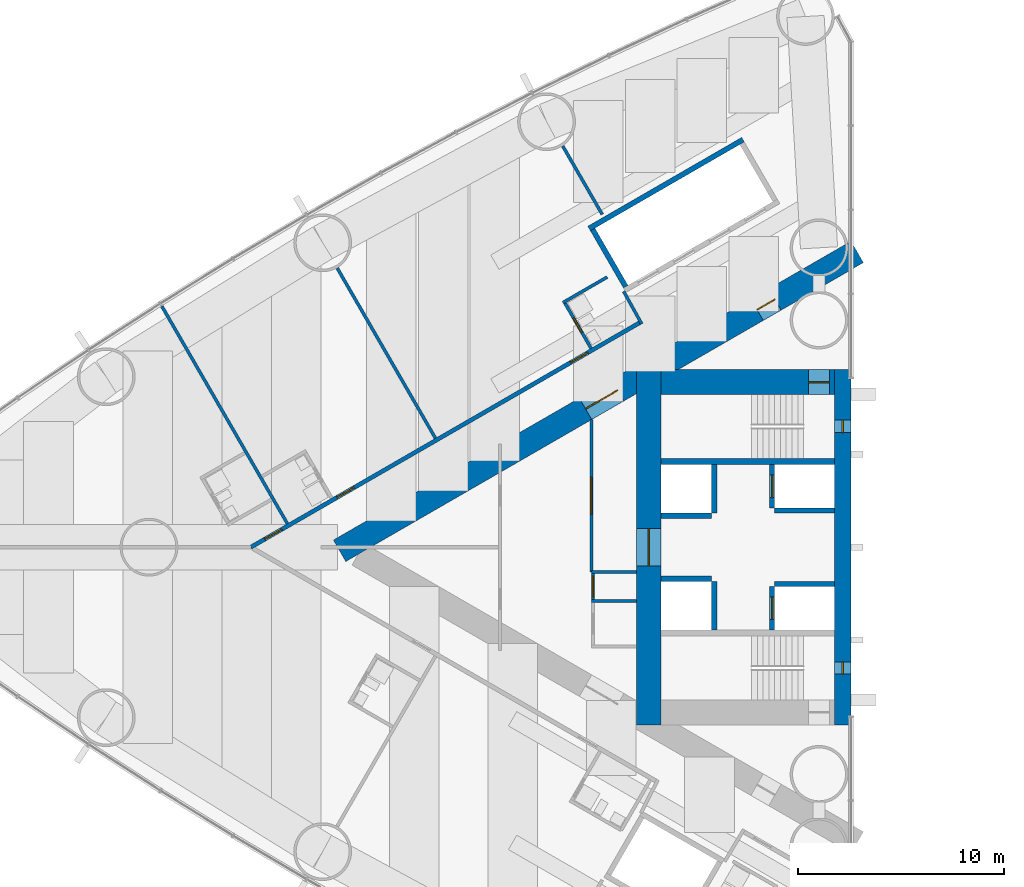
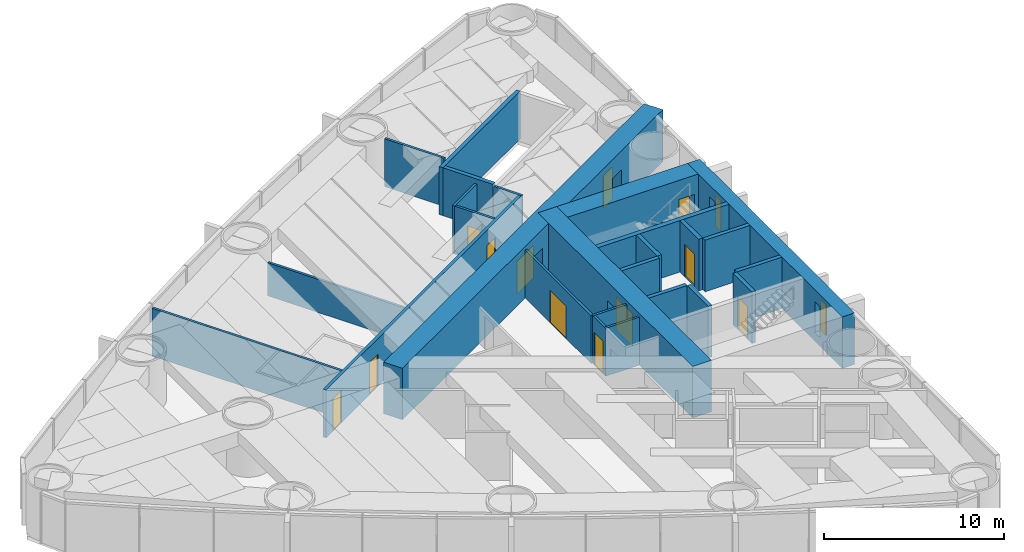
# One storey, part 12 of 19: 26 walls, 12 doors, 2 windows, 14 openings.
"""IFC4 building model written with IfcOpenShell, lengths in metres."""

from ifc_helpers import new_model, si_unit, direction, frame, frame_2d, origin, place, context, subcontext, project, spatial, rectangle, extrude, material, layer, layer_set, type_object, element, fill, save


model = new_model("IFC4")

# Units and contexts
model_context = context("Model", 3, precision=1e-05, world=origin(), true_north=direction((0.0, 1.0)))
body_context = subcontext(model_context, "Body", "Model", "MODEL_VIEW")
ifc_project = project(units=[si_unit("LENGTHUNIT", "METRE"), si_unit("AREAUNIT", "SQUARE_METRE"), si_unit("VOLUMEUNIT", "CUBIC_METRE"), si_unit("PLANEANGLEUNIT", "RADIAN"), si_unit("MASSUNIT", "GRAM", prefix="KILO")], contexts=[model_context])

# Site, building, storey
site_placement = place(None, origin())
site = spatial("IfcSite", under=ifc_project, at=site_placement, CompositionType="ELEMENT")
building_placement = place(site_placement, origin())
building = spatial("IfcBuilding", under=site, at=building_placement, Name="Lancet Gate Hotel", CompositionType="ELEMENT")
storey_placement = place(building_placement, frame((0.0, 0.0, 35.5)))
storey = spatial("IfcBuildingStorey", under=building, at=storey_placement, Name="L08", CompositionType="ELEMENT", Elevation=35.5)

# Wall
ifc_material_1 = material(Name="Moisture resistant board partition")
ifc_layer_1 = layer(ifc_material_1, 0.14990234375)
ifc_layer_set_1 = layer_set([ifc_layer_1], Name="Bathroom wall 150")
wall_type_1 = type_object("IfcWallType", Name="Bathroom wall 150", PredefinedType="PARTITIONING", material=ifc_layer_set_1)
wall_1_placement = place(storey_placement, frame((-39.309814453125, 13.081787109375, 0.0), z_axis=(0.0, 0.0, 1.0), x_axis=(-0.866031185235, -0.4999899861, 0.0)))
element("IfcWall", 1, at=wall_1_placement, inside=storey, type_object=wall_type_1, Name="T1 bathroom wall 150 L08", PredefinedType="PARTITIONING", context=body_context, shape_type="SweptSolid", body=[
    extrude(rectangle(XDim=2.47509765625, YDim=0.14990234375, at=frame_2d((1.237548828125, 0.0))), origin(), (0.0, 0.0, 1.0), 3.25),
])

# Wall, opening, door
wall_2_placement = place(storey_placement, frame((-40.08837890625, 9.630126953125, 0.0), z_axis=(0.0, 0.0, 1.0), x_axis=(-0.500006934395, 0.866021400173, 0.0)))
wall_2 = element("IfcWall", 2, at=wall_2_placement, inside=storey, type_object=wall_type_1, Name="T1 bathroom wall 150 L08", PredefinedType="PARTITIONING", context=body_context, shape_type="SweptSolid", body=[
    extrude(rectangle(XDim=2.60009765625, YDim=0.14990234375, at=frame_2d((1.300048828125, 0.0))), origin(), (0.0, 0.0, 1.0), 3.25),
])
opening_1_placement = place(wall_2_placement, frame((0.89990234375, 0.0, 0.0)))
opening_1 = element("IfcOpeningElement", 3, at=opening_1_placement, cuts=wall_2, Name="Opening 0802-B", PredefinedType="OPENING", context=body_context, shape_type="SweptSolid", body=[
    extrude(rectangle(XDim=0.800048828125, YDim=2.199951171875, at=frame_2d((0.39990234375, 1.10009765625))), frame((0.0, 0.0849609375, 0.0), z_axis=(0.0, -1.0, 0.0), x_axis=(1.0, 0.0, 0.0)), (0.0, 0.0, 1.0), 0.169921875),
])
ifc_material_2 = material(Name="Timber door set", Category="wood")
door_type_1 = type_object("IfcDoorType", Name="Bathroom door 800", OperationType="SINGLE_SWING_RIGHT", PredefinedType="DOOR", material=ifc_material_2)
door_1_placement = place(opening_1_placement, origin())
door_1 = element("IfcDoor", 4, at=door_1_placement, inside=storey, type_object=door_type_1, Name="0802-B", OperationType="SINGLE_SWING_RIGHT", OverallHeight=2.199951171875, OverallWidth=0.800048828125, PredefinedType="DOOR", context=body_context, shape_type="SweptSolid", body=[
    extrude(rectangle(XDim=0.800048828125, YDim=2.199951171875, at=frame_2d((0.39990234375, 1.10009765625))), frame((0.0, 0.02490234375, 0.0), z_axis=(0.0, -1.0, 0.0), x_axis=(1.0, 0.0, 0.0)), (0.0, 0.0, 1.0), 0.050048828125),
])
fill(opening_1, door_1)

# Wall, openings, doors
ifc_material_3 = material(Name="Concrete C70/85", Category="concrete")
ifc_layer_2 = layer(ifc_material_3, 1.199951171875)
ifc_layer_set_2 = layer_set([ifc_layer_2], Name="Buttress wall 1200")
wall_type_2 = type_object("IfcWallType", Name="Buttress wall 1200", PredefinedType="SHEAR", material=ifc_layer_set_2)
wall_3_placement = place(storey_placement, frame((-27.199951171875, 14.300048828125, 0.0), z_axis=(0.0, 0.0, 1.0), x_axis=(-0.866026593062, -0.499997940104, 0.0)))
wall_3 = element("IfcWall", 5, at=wall_3_placement, inside=storey, type_object=wall_type_2, Name="T1 buttress wall S L08", PredefinedType="SHEAR", context=body_context, shape_type="SweptSolid", body=[
    extrude(rectangle(XDim=28.9462890625, YDim=1.199951171875, at=frame_2d((14.47314453125, 0.0))), origin(), (0.0, 0.0, 1.0), 3.5),
])
opening_2_placement = place(wall_3_placement, frame((4.60009765625, 0.0, 0.0)))
opening_2 = element("IfcOpeningElement", 6, at=opening_2_placement, cuts=wall_3, Name="Opening T1-L08-LS", PredefinedType="OPENING", context=body_context, shape_type="SweptSolid", body=[
    extrude(rectangle(XDim=1.0, YDim=2.199951171875, at=frame_2d((0.5, 1.10009765625))), frame((0.0, 0.60986328125, 0.0), z_axis=(0.0, -1.0, 0.0), x_axis=(1.0, 0.0, 0.0)), (0.0, 0.0, 1.0), 1.219970703125),
])
opening_3_placement = place(wall_3_placement, frame((13.39453125, 0.0, 0.0)))
opening_3 = element("IfcOpeningElement", 7, at=opening_3_placement, cuts=wall_3, Name="Opening T1-L08-LHS", PredefinedType="OPENING", context=body_context, shape_type="SweptSolid", body=[
    extrude(rectangle(XDim=1.800048828125, YDim=2.199951171875, at=frame_2d((0.89990234375, 1.10009765625))), frame((0.0, 0.60986328125, 0.0), z_axis=(0.0, -1.0, 0.0), x_axis=(1.0, 0.0, 0.0)), (0.0, 0.0, 1.0), 1.219970703125),
])
ifc_material_4 = material(Name="Timber door set", Category="wood")
door_type_2 = type_object("IfcDoorType", Name="Lobby double door 1800", OperationType="DOUBLE_DOOR_SINGLE_SWING", PredefinedType="DOOR", material=ifc_material_4)
door_2_placement = place(opening_3_placement, origin())
door_2 = element("IfcDoor", 8, at=door_2_placement, inside=storey, type_object=door_type_2, Name="T1-L08-LHS", OperationType="DOUBLE_DOOR_SINGLE_SWING", OverallHeight=2.199951171875, OverallWidth=1.800048828125, PredefinedType="DOOR", context=body_context, shape_type="SweptSolid", body=[
    extrude(rectangle(XDim=1.800048828125, YDim=2.199951171875, at=frame_2d((0.89990234375, 1.10009765625))), frame((0.0, 0.02490234375, 0.0), z_axis=(0.0, -1.0, 0.0), x_axis=(1.0, 0.0, 0.0)), (0.0, 0.0, 1.0), 0.050048828125),
])
fill(opening_3, door_2)
ifc_material_5 = material(Name="Timber door set", Category="wood")
door_type_3 = type_object("IfcDoorType", Name="Stair lobby door 1000", OperationType="SINGLE_SWING_LEFT", PredefinedType="DOOR", material=ifc_material_5)
door_3_placement = place(opening_2_placement, origin())
door_3 = element("IfcDoor", 9, at=door_3_placement, inside=storey, type_object=door_type_3, Name="T1-L08-LS", OperationType="SINGLE_SWING_LEFT", OverallHeight=2.199951171875, OverallWidth=1.0, PredefinedType="DOOR", context=body_context, shape_type="SweptSolid", body=[
    extrude(rectangle(XDim=1.0, YDim=2.199951171875, at=frame_2d((0.5, 1.10009765625))), frame((0.0, 0.02490234375, 0.0), z_axis=(0.0, -1.0, 0.0), x_axis=(1.0, 0.0, 0.0)), (0.0, 0.0, 1.0), 0.050048828125),
])
fill(opening_2, door_3)

# Wall, opening, door
ifc_material_6 = material(Name="Concrete C70/85", Category="concrete")
ifc_layer_3 = layer(ifc_material_6, 1.199951171875)
ifc_layer_set_3 = layer_set([ifc_layer_3], Name="Core wall 1200")
wall_type_3 = type_object("IfcWallType", Name="Core wall 1200", PredefinedType="SHEAR", material=ifc_layer_set_3)
wall_4_placement = place(storey_placement, frame((-37.300048828125, 8.60009765625, 0.0), z_axis=(0.0, 0.0, 1.0), x_axis=(0.0, -1.0, 0.0)))
wall_4 = element("IfcWall", 10, at=wall_4_placement, inside=storey, type_object=wall_type_3, Name="T1 core wall back L08", PredefinedType="SHEAR", context=body_context, shape_type="SweptSolid", body=[
    extrude(rectangle(XDim=17.2001953125, YDim=1.199951171875, at=frame_2d((8.60009765625, 0.0))), origin(), (0.0, 0.0, 1.0), 3.5),
])
opening_4_placement = place(wall_4_placement, frame((7.699951171875, 0.0, 0.0)))
opening_4 = element("IfcOpeningElement", 11, at=opening_4_placement, cuts=wall_4, Name="Opening T1-L08-LL", PredefinedType="OPENING", context=body_context, shape_type="SweptSolid", body=[
    extrude(rectangle(XDim=1.800048828125, YDim=2.199951171875, at=frame_2d((0.89990234375, 1.10009765625))), frame((0.0, 0.60986328125, 0.0), z_axis=(0.0, -1.0, 0.0), x_axis=(1.0, 0.0, 0.0)), (0.0, 0.0, 1.0), 1.219970703125),
])
door_4_placement = place(opening_4_placement, origin())
door_4 = element("IfcDoor", 12, at=door_4_placement, inside=storey, type_object=door_type_2, Name="T1-L08-LL", OperationType="DOUBLE_DOOR_SINGLE_SWING", OverallHeight=2.199951171875, OverallWidth=1.800048828125, PredefinedType="DOOR", context=body_context, shape_type="SweptSolid", body=[
    extrude(rectangle(XDim=1.800048828125, YDim=2.199951171875, at=frame_2d((0.89990234375, 1.10009765625))), frame((0.0, 0.02490234375, 0.0), z_axis=(0.0, -1.0, 0.0), x_axis=(1.0, 0.0, 0.0)), (0.0, 0.0, 1.0), 0.050048828125),
])
fill(opening_4, door_4)

wall_5_placement = place(storey_placement, frame((-28.300048828125, 8.0, 0.0), z_axis=(0.0, 0.0, 1.0), x_axis=(-1.0, 0.0, 0.0)))
wall_5 = element("IfcWall", 13, at=wall_5_placement, inside=storey, type_object=wall_type_3, Name="T1 core wall side-S L08", PredefinedType="SHEAR", context=body_context, shape_type="SweptSolid", body=[
    extrude(rectangle(XDim=8.39990234375, YDim=1.199951171875, at=frame_2d((4.199951171875, 0.0))), origin(), (0.0, 0.0, 1.0), 3.5),
])
opening_5_placement = place(wall_5_placement, frame((0.25, 0.0, 0.0)))
opening_5 = element("IfcOpeningElement", 14, at=opening_5_placement, cuts=wall_5, Name="Opening T1-L08-ST1", PredefinedType="OPENING", context=body_context, shape_type="SweptSolid", body=[
    extrude(rectangle(XDim=1.0, YDim=2.199951171875, at=frame_2d((0.5, 1.10009765625))), frame((0.0, 0.60986328125, 0.0), z_axis=(0.0, -1.0, 0.0), x_axis=(1.0, 0.0, 0.0)), (0.0, 0.0, 1.0), 1.219970703125),
])
ifc_material_7 = material(Name="Timber door set", Category="wood")
door_type_4 = type_object("IfcDoorType", Name="Stair door 1000", OperationType="SINGLE_SWING_RIGHT", PredefinedType="DOOR", material=ifc_material_7)
door_5_placement = place(opening_5_placement, origin())
door_5 = element("IfcDoor", 15, at=door_5_placement, inside=storey, type_object=door_type_4, Name="T1-L08-ST1", OperationType="SINGLE_SWING_RIGHT", OverallHeight=2.199951171875, OverallWidth=1.0, PredefinedType="DOOR", context=body_context, shape_type="SweptSolid", body=[
    extrude(rectangle(XDim=1.0, YDim=2.199951171875, at=frame_2d((0.5, 1.10009765625))), frame((0.0, 0.02490234375, 0.0), z_axis=(0.0, -1.0, 0.0), x_axis=(1.0, 0.0, 0.0)), (0.0, 0.0, 1.0), 0.050048828125),
])
fill(opening_5, door_5)

# Wall, openings, windows
ifc_material_8 = material(Name="Concrete C70/85", Category="concrete")
ifc_layer_4 = layer(ifc_material_8, 0.800048828125)
ifc_layer_set_4 = layer_set([ifc_layer_4], Name="Core wall 800")
wall_type_4 = type_object("IfcWallType", Name="Core wall 800", PredefinedType="SHEAR", material=ifc_layer_set_4)
wall_6_placement = place(storey_placement, frame((-27.89990234375, 8.60009765625, 0.0), z_axis=(0.0, 0.0, 1.0), x_axis=(0.0, -1.0, 0.0)))
wall_6 = element("IfcWall", 16, at=wall_6_placement, inside=storey, type_object=wall_type_4, Name="T1 core wall front L08", PredefinedType="SHEAR", context=body_context, shape_type="SweptSolid", body=[
    extrude(rectangle(XDim=17.2001953125, YDim=0.800048828125, at=frame_2d((8.60009765625, 0.0))), origin(), (0.0, 0.0, 1.0), 3.5),
])
opening_6_placement = place(wall_6_placement, frame((2.449951171875, 0.0, 0.60009765625)))
opening_6 = element("IfcOpeningElement", 17, at=opening_6_placement, cuts=wall_6, Name="Opening LW1", PredefinedType="OPENING", context=body_context, shape_type="SweptSolid", body=[
    extrude(rectangle(XDim=0.60009765625, YDim=2.10009765625, at=frame_2d((0.300048828125, 1.050048828125))), frame((0.0, 0.409912109375, 0.0), z_axis=(0.0, -1.0, 0.0), x_axis=(1.0, 0.0, 0.0)), (0.0, 0.0, 1.0), 0.820068359375),
])
opening_7_placement = place(wall_6_placement, frame((14.14990234375, 0.0, 0.60009765625)))
opening_7 = element("IfcOpeningElement", 18, at=opening_7_placement, cuts=wall_6, Name="Opening LW1", PredefinedType="OPENING", context=body_context, shape_type="SweptSolid", body=[
    extrude(rectangle(XDim=0.60009765625, YDim=2.10009765625, at=frame_2d((0.300048828125, 1.050048828125))), frame((0.0, 0.409912109375, 0.0), z_axis=(0.0, -1.0, 0.0), x_axis=(1.0, 0.0, 0.0)), (0.0, 0.0, 1.0), 0.820068359375),
])
ifc_material_9 = material(Name="Fire-resisting glazed steel window", Category="steel")
window_type = type_object("IfcWindowType", Name="Lancet window 600x2100", PartitioningType="SINGLE_PANEL", PredefinedType="WINDOW", material=ifc_material_9)
window_1_placement = place(opening_6_placement, origin())
window_1 = element("IfcWindow", 19, at=window_1_placement, inside=storey, type_object=window_type, Name="T1 stair window S L08", OverallHeight=2.10009765625, OverallWidth=0.60009765625, PartitioningType="SINGLE_PANEL", PredefinedType="WINDOW", context=body_context, shape_type="SweptSolid", body=[
    extrude(rectangle(XDim=0.60009765625, YDim=2.10009765625, at=frame_2d((0.300048828125, 1.050048828125))), frame((0.0, 0.030029296875, 0.0), z_axis=(0.0, -1.0, 0.0), x_axis=(1.0, 0.0, 0.0)), (0.0, 0.0, 1.0), 0.06005859375),
])
fill(opening_6, window_1)
window_2_placement = place(opening_7_placement, origin())
window_2 = element("IfcWindow", 20, at=window_2_placement, inside=storey, type_object=window_type, Name="T1 stair window N L08", OverallHeight=2.10009765625, OverallWidth=0.60009765625, PartitioningType="SINGLE_PANEL", PredefinedType="WINDOW", context=body_context, shape_type="SweptSolid", body=[
    extrude(rectangle(XDim=0.60009765625, YDim=2.10009765625, at=frame_2d((0.300048828125, 1.050048828125))), frame((0.0, 0.030029296875, 0.0), z_axis=(0.0, -1.0, 0.0), x_axis=(1.0, 0.0, 0.0)), (0.0, 0.0, 1.0), 0.06005859375),
])
fill(opening_7, window_2)

# Wall, openings, doors
ifc_material_10 = material(Name="Gypsum board partition")
ifc_layer_5 = layer(ifc_material_10, 0.199951171875)
ifc_layer_set_5 = layer_set([ifc_layer_5], Name="Corridor wall 200")
wall_type_5 = type_object("IfcWallType", Name="Corridor wall 200", PredefinedType="PARTITIONING", material=ifc_layer_set_5)
wall_7_placement = place(storey_placement, frame((-37.699951171875, 10.8935546875, 0.0), z_axis=(0.0, 0.0, 1.0), x_axis=(-0.866027905338, -0.499995667157, 0.0)))
wall_7 = element("IfcWall", 21, at=wall_7_placement, inside=storey, type_object=wall_type_5, Name="T1 corridor wall 200 L08", PredefinedType="PARTITIONING", context=body_context, shape_type="SweptSolid", body=[
    extrude(rectangle(XDim=21.787353515625, YDim=0.199951171875, at=frame_2d((10.8935546875, 0.0))), origin(), (0.0, 0.0, 1.0), 3.25),
])
opening_8_placement = place(wall_7_placement, frame((16.008056640625, 0.0, 0.0)))
opening_8 = element("IfcOpeningElement", 22, at=opening_8_placement, cuts=wall_7, Name="Opening 0803-E", PredefinedType="OPENING", context=body_context, shape_type="SweptSolid", body=[
    extrude(rectangle(XDim=0.949951171875, YDim=2.199951171875, at=frame_2d((0.47509765625, 1.10009765625))), frame((0.0, 0.10986328125, 0.0), z_axis=(0.0, -1.0, 0.0), x_axis=(1.0, 0.0, 0.0)), (0.0, 0.0, 1.0), 0.219970703125),
])
opening_9_placement = place(wall_7_placement, frame((20.05810546875, 0.0, 0.0)))
opening_9 = element("IfcOpeningElement", 23, at=opening_9_placement, cuts=wall_7, Name="Opening 0804-E", PredefinedType="OPENING", context=body_context, shape_type="SweptSolid", body=[
    extrude(rectangle(XDim=0.949951171875, YDim=2.199951171875, at=frame_2d((0.47509765625, 1.10009765625))), frame((0.0, 0.10986328125, 0.0), z_axis=(0.0, -1.0, 0.0), x_axis=(1.0, 0.0, 0.0)), (0.0, 0.0, 1.0), 0.219970703125),
])
opening_10_placement = place(wall_7_placement, frame((2.949951171875, 0.0, 0.0)))
opening_10 = element("IfcOpeningElement", 24, at=opening_10_placement, cuts=wall_7, Name="Opening 0802-E", PredefinedType="OPENING", context=body_context, shape_type="SweptSolid", body=[
    extrude(rectangle(XDim=0.949951171875, YDim=2.199951171875, at=frame_2d((0.47509765625, 1.10009765625))), frame((0.0, 0.10986328125, 0.0), z_axis=(0.0, -1.0, 0.0), x_axis=(1.0, 0.0, 0.0)), (0.0, 0.0, 1.0), 0.219970703125),
])
ifc_material_11 = material(Name="Timber door set", Category="wood")
door_type_5 = type_object("IfcDoorType", Name="Guest room entry door 950", OperationType="SINGLE_SWING_LEFT", PredefinedType="DOOR", material=ifc_material_11)
door_6_placement = place(opening_8_placement, origin())
door_6 = element("IfcDoor", 25, at=door_6_placement, inside=storey, type_object=door_type_5, Name="0803-E", OperationType="SINGLE_SWING_LEFT", OverallHeight=2.199951171875, OverallWidth=0.949951171875, PredefinedType="DOOR", context=body_context, shape_type="SweptSolid", body=[
    extrude(rectangle(XDim=0.949951171875, YDim=2.199951171875, at=frame_2d((0.47509765625, 1.10009765625))), frame((0.0, 0.02490234375, 0.0), z_axis=(0.0, -1.0, 0.0), x_axis=(1.0, 0.0, 0.0)), (0.0, 0.0, 1.0), 0.050048828125),
])
fill(opening_8, door_6)
door_7_placement = place(opening_9_placement, origin())
door_7 = element("IfcDoor", 26, at=door_7_placement, inside=storey, type_object=door_type_5, Name="0804-E", OperationType="SINGLE_SWING_LEFT", OverallHeight=2.199951171875, OverallWidth=0.949951171875, PredefinedType="DOOR", context=body_context, shape_type="SweptSolid", body=[
    extrude(rectangle(XDim=0.949951171875, YDim=2.199951171875, at=frame_2d((0.47509765625, 1.10009765625))), frame((0.0, 0.02490234375, 0.0), z_axis=(0.0, -1.0, 0.0), x_axis=(1.0, 0.0, 0.0)), (0.0, 0.0, 1.0), 0.050048828125),
])
fill(opening_9, door_7)
door_8_placement = place(opening_10_placement, origin())
door_8 = element("IfcDoor", 27, at=door_8_placement, inside=storey, type_object=door_type_5, Name="0802-E", OperationType="SINGLE_SWING_LEFT", OverallHeight=2.199951171875, OverallWidth=0.949951171875, PredefinedType="DOOR", context=body_context, shape_type="SweptSolid", body=[
    extrude(rectangle(XDim=0.949951171875, YDim=2.199951171875, at=frame_2d((0.47509765625, 1.10009765625))), frame((0.0, 0.02490234375, 0.0), z_axis=(0.0, -1.0, 0.0), x_axis=(1.0, 0.0, 0.0)), (0.0, 0.0, 1.0), 0.050048828125),
])
fill(opening_10, door_8)

# Walls
ifc_material_12 = material(Name="Gypsum board partition")
ifc_layer_6 = layer(ifc_material_12, 0.25)
ifc_layer_set_6 = layer_set([ifc_layer_6], Name="Lift shaft partition 250")
wall_type_6 = type_object("IfcWallType", Name="Lift shaft partition 250", PredefinedType="PARTITIONING", material=ifc_layer_set_6)
wall_8_placement = place(storey_placement, frame((-32.735595703125, 19.73583984375, 0.0), z_axis=(0.0, 0.0, 1.0), x_axis=(-0.866028165386, -0.499995216735, 0.0)))
element("IfcWall", 28, at=wall_8_placement, inside=storey, type_object=wall_type_6, Name="T1 lift shaft wall LR L08", PredefinedType="PARTITIONING", context=body_context, shape_type="SweptSolid", body=[
    extrude(rectangle(XDim=8.60009765625, YDim=0.25, at=frame_2d((4.300048828125, 0.0))), origin(), (0.0, 0.0, 1.0), 3.25),
])
wall_9_placement = place(storey_placement, frame((-38.412841796875, 12.617919921875, 0.0), z_axis=(0.0, 0.0, 1.0), x_axis=(-0.499872130319, 0.866099216793, 0.0)))
element("IfcWall", 29, at=wall_9_placement, inside=storey, type_object=wall_type_6, Name="T1 lift shaft wall LR L08", PredefinedType="PARTITIONING", context=body_context, shape_type="SweptSolid", body=[
    extrude(rectangle(XDim=3.200439453125, YDim=0.25, at=frame_2d((1.60009765625, 0.0))), origin(), (0.0, 0.0, 1.0), 3.25),
])

# Wall, opening, door
ifc_material_13 = material(Name="Concrete C50/60", Category="concrete")
ifc_layer_7 = layer(ifc_material_13, 0.25)
ifc_layer_set_7 = layer_set([ifc_layer_7], Name="Lift shaft wall 250")
wall_type_7 = type_object("IfcWallType", Name="Lift shaft wall 250", PredefinedType="SHEAR", material=ifc_layer_set_7)
wall_10_placement = place(storey_placement, frame((-31.324951171875, 4.0, 0.0), z_axis=(0.0, 0.0, 1.0), x_axis=(0.0, -1.0, 0.0)))
wall_10 = element("IfcWall", 30, at=wall_10_placement, inside=storey, type_object=wall_type_7, Name="T1 core wall row1-S L08", PredefinedType="SHEAR", context=body_context, shape_type="SweptSolid", body=[
    extrude(rectangle(XDim=2.10009765625, YDim=0.25, at=frame_2d((1.050048828125, 0.0))), origin(), (0.0, 0.0, 1.0), 3.5),
])
opening_11_placement = place(wall_10_placement, frame((0.5, 0.0, 0.0)))
opening_11 = element("IfcOpeningElement", 31, at=opening_11_placement, cuts=wall_10, Name="Opening T1-SL1-L08", PredefinedType="OPENING", context=body_context, shape_type="SweptSolid", body=[
    extrude(rectangle(XDim=1.10009765625, YDim=2.199951171875, at=frame_2d((0.550048828125, 1.10009765625))), frame((0.0, 0.135009765625, 0.0), z_axis=(0.0, -1.0, 0.0), x_axis=(1.0, 0.0, 0.0)), (0.0, 0.0, 1.0), 0.27001953125),
])
ifc_material_14 = material(Name="Timber door set", Category="wood")
door_type_6 = type_object("IfcDoorType", Name="Service lift landing door 1100", OperationType="SLIDING_TO_LEFT", PredefinedType="USERDEFINED", material=ifc_material_14)
door_9_placement = place(opening_11_placement, origin())
door_9 = element("IfcDoor", 32, at=door_9_placement, inside=storey, type_object=door_type_6, Name="T1-SL1-L08", ObjectType="LIFT LANDING DOOR", OperationType="SLIDING_TO_LEFT", OverallHeight=2.199951171875, OverallWidth=1.10009765625, PredefinedType="USERDEFINED", context=body_context, shape_type="SweptSolid", body=[
    extrude(rectangle(XDim=1.10009765625, YDim=2.199951171875, at=frame_2d((0.550048828125, 1.10009765625))), frame((0.0, 0.02490234375, 0.0), z_axis=(0.0, -1.0, 0.0), x_axis=(1.0, 0.0, 0.0)), (0.0, 0.0, 1.0), 0.050048828125),
])
fill(opening_11, door_9)

# Walls
wall_11_placement = place(storey_placement, frame((-34.125, 4.0, 0.0), z_axis=(0.0, 0.0, 1.0), x_axis=(0.0, -1.0, 0.0)))
element("IfcWall", 33, at=wall_11_placement, inside=storey, type_object=wall_type_7, Name="T1 core wall row2-S L08", PredefinedType="SHEAR", context=body_context, shape_type="SweptSolid", body=[
    extrude(rectangle(XDim=2.35009765625, YDim=0.25, at=frame_2d((1.175048828125, 0.0))), origin(), (0.0, 0.0, 1.0), 3.5),
])
wall_12_placement = place(storey_placement, frame((-28.300048828125, 1.77490234375, 0.0), z_axis=(0.0, 0.0, 1.0), x_axis=(-1.0, 0.0, 0.0)))
element("IfcWall", 34, at=wall_12_placement, inside=storey, type_object=wall_type_7, Name="T1 core wall pass1-S L08", PredefinedType="SHEAR", context=body_context, shape_type="SweptSolid", body=[
    extrude(rectangle(XDim=2.89990234375, YDim=0.25, at=frame_2d((1.449951171875, 0.0))), origin(), (0.0, 0.0, 1.0), 3.5),
])
wall_13_placement = place(storey_placement, frame((-34.25, 1.52490234375, 0.0), z_axis=(0.0, 0.0, 1.0), x_axis=(-1.0, 0.0, 0.0)))
element("IfcWall", 35, at=wall_13_placement, inside=storey, type_object=wall_type_7, Name="T1 core wall pass2-S L08", PredefinedType="SHEAR", context=body_context, shape_type="SweptSolid", body=[
    extrude(rectangle(XDim=2.449951171875, YDim=0.25, at=frame_2d((1.22509765625, 0.0))), origin(), (0.0, 0.0, 1.0), 3.5),
])

# Wall, opening, door
wall_14_placement = place(storey_placement, frame((-31.324951171875, -1.89990234375, 0.0), z_axis=(0.0, 0.0, 1.0), x_axis=(0.0, -1.0, 0.0)))
wall_14 = element("IfcWall", 36, at=wall_14_placement, inside=storey, type_object=wall_type_7, Name="T1 core wall row1-N L08", PredefinedType="SHEAR", context=body_context, shape_type="SweptSolid", body=[
    extrude(rectangle(XDim=2.10009765625, YDim=0.25, at=frame_2d((1.050048828125, 0.0))), origin(), (0.0, 0.0, 1.0), 3.5),
])
opening_12_placement = place(wall_14_placement, frame((0.5, 0.0, 0.0)))
opening_12 = element("IfcOpeningElement", 37, at=opening_12_placement, cuts=wall_14, Name="Opening T1-FL2-L08", PredefinedType="OPENING", context=body_context, shape_type="SweptSolid", body=[
    extrude(rectangle(XDim=1.10009765625, YDim=2.199951171875, at=frame_2d((0.550048828125, 1.10009765625))), frame((0.0, 0.135009765625, 0.0), z_axis=(0.0, -1.0, 0.0), x_axis=(1.0, 0.0, 0.0)), (0.0, 0.0, 1.0), 0.27001953125),
])
ifc_material_15 = material(Name="Steel door set", Category="steel")
door_type_7 = type_object("IfcDoorType", Name="Firefighting lift landing door 1100", OperationType="SLIDING_TO_LEFT", PredefinedType="USERDEFINED", material=ifc_material_15)
door_10_placement = place(opening_12_placement, origin())
door_10 = element("IfcDoor", 38, at=door_10_placement, inside=storey, type_object=door_type_7, Name="T1-FL2-L08", ObjectType="LIFT LANDING DOOR", OperationType="SLIDING_TO_LEFT", OverallHeight=2.199951171875, OverallWidth=1.10009765625, PredefinedType="USERDEFINED", context=body_context, shape_type="SweptSolid", body=[
    extrude(rectangle(XDim=1.10009765625, YDim=2.199951171875, at=frame_2d((0.550048828125, 1.10009765625))), frame((0.0, 0.02490234375, 0.0), z_axis=(0.0, -1.0, 0.0), x_axis=(1.0, 0.0, 0.0)), (0.0, 0.0, 1.0), 0.050048828125),
])
fill(opening_12, door_10)

# Walls
wall_15_placement = place(storey_placement, frame((-34.125, -1.64990234375, 0.0), z_axis=(0.0, 0.0, 1.0), x_axis=(0.0, -1.0, 0.0)))
element("IfcWall", 39, at=wall_15_placement, inside=storey, type_object=wall_type_7, Name="T1 core wall row2-N L08", PredefinedType="SHEAR", context=body_context, shape_type="SweptSolid", body=[
    extrude(rectangle(XDim=2.35009765625, YDim=0.25, at=frame_2d((1.175048828125, 0.0))), origin(), (0.0, 0.0, 1.0), 3.5),
])
wall_16_placement = place(storey_placement, frame((-28.300048828125, -1.77490234375, 0.0), z_axis=(0.0, 0.0, 1.0), x_axis=(-1.0, 0.0, 0.0)))
element("IfcWall", 40, at=wall_16_placement, inside=storey, type_object=wall_type_7, Name="T1 core wall pass1-N L08", PredefinedType="SHEAR", context=body_context, shape_type="SweptSolid", body=[
    extrude(rectangle(XDim=2.89990234375, YDim=0.25, at=frame_2d((1.449951171875, 0.0))), origin(), (0.0, 0.0, 1.0), 3.5),
])
wall_17_placement = place(storey_placement, frame((-34.25, -1.52490234375, 0.0), z_axis=(0.0, 0.0, 1.0), x_axis=(-1.0, 0.0, 0.0)))
element("IfcWall", 41, at=wall_17_placement, inside=storey, type_object=wall_type_7, Name="T1 core wall pass2-N L08", PredefinedType="SHEAR", context=body_context, shape_type="SweptSolid", body=[
    extrude(rectangle(XDim=2.449951171875, YDim=0.25, at=frame_2d((1.22509765625, 0.0))), origin(), (0.0, 0.0, 1.0), 3.5),
])
ifc_material_16 = material(Name="Gypsum board partition")
ifc_layer_8 = layer(ifc_material_16, 0.14990234375)
ifc_layer_set_8 = layer_set([ifc_layer_8], Name="Party wall 150")
wall_type_8 = type_object("IfcWallType", Name="Party wall 150", PredefinedType="PARTITIONING", material=ifc_layer_set_8)
wall_18_placement = place(storey_placement, frame((-47.626708984375, 5.27783203125, 0.0), z_axis=(0.0, 0.0, 1.0), x_axis=(-0.500009844318, 0.86601972009, 0.0)))
element("IfcWall", 42, at=wall_18_placement, inside=storey, type_object=wall_type_8, Name="T1 party wall 150 L08", PredefinedType="PARTITIONING", context=body_context, shape_type="SweptSolid", body=[
    extrude(rectangle(XDim=9.510498046875, YDim=0.14990234375, at=frame_2d((4.75537109375, 0.0))), origin(), (0.0, 0.0, 1.0), 2.25),
])
wall_19_placement = place(storey_placement, frame((-54.796142578125, 1.138671875, 0.0), z_axis=(0.0, 0.0, 1.0), x_axis=(-0.499998860433, 0.866026061713, 0.0)))
element("IfcWall", 43, at=wall_19_placement, inside=storey, type_object=wall_type_8, Name="T1 party wall 150 L08", PredefinedType="PARTITIONING", context=body_context, shape_type="SweptSolid", body=[
    extrude(rectangle(XDim=12.15673828125, YDim=0.14990234375, at=frame_2d((6.078369140625, 0.0))), origin(), (0.0, 0.0, 1.0), 3.25),
])
wall_20_placement = place(storey_placement, frame((-39.55078125, 16.11865234375, 0.0), z_axis=(0.0, 0.0, 1.0), x_axis=(-0.500014214979, 0.866017196607, 0.0)))
element("IfcWall", 44, at=wall_20_placement, inside=storey, type_object=wall_type_8, Name="T1 party wall 150 L08", PredefinedType="PARTITIONING", context=body_context, shape_type="SweptSolid", body=[
    extrude(rectangle(XDim=3.81494140625, YDim=0.14990234375, at=frame_2d((1.907470703125, 0.0))), origin(), (0.0, 0.0, 1.0), 3.25),
])
ifc_material_17 = material(Name="Gypsum board partition")
ifc_layer_9 = layer(ifc_material_17, 0.14990234375)
ifc_layer_set_9 = layer_set([ifc_layer_9], Name="Service room wall 150")
wall_type_9 = type_object("IfcWallType", Name="Service room wall 150", PredefinedType="PARTITIONING", material=ifc_layer_set_9)
wall_21_placement = place(storey_placement, frame((-38.513427734375, 12.392333984375, 0.0), z_axis=(0.0, 0.0, 1.0), x_axis=(0.485585508183, -0.874189175317, 0.0)))
element("IfcWall", 45, at=wall_21_placement, inside=storey, type_object=wall_type_9, Name="T1 service room wall 150 L08", PredefinedType="PARTITIONING", context=body_context, shape_type="SweptSolid", body=[
    extrude(rectangle(XDim=1.804931640625, YDim=0.14990234375, at=frame_2d((0.90234375, 0.0))), origin(), (0.0, 0.0, 1.0), 3.25),
])
for number, where, z_axis, x_axis, name in (
    (46, (-37.89990234375, -1.199951171875, 0.0), (0.0, 0.0, 1.0), (-1.0, 0.0, 0.0), "T1 service room wall 150 L08"),
    (47, (-37.89990234375, -2.60009765625, 0.0), (0.0, 0.0, 1.0), (-1.0, 0.0, 0.0), "T1 service room wall 150 L08"),
):
    element("IfcWall", number, at=place(storey_placement, frame(where, z_axis=z_axis, x_axis=x_axis)), inside=storey, type_object=wall_type_9, Name=name, PredefinedType="PARTITIONING", context=body_context, shape_type="SweptSolid", body=[
        extrude(rectangle(XDim=2.175048828125, YDim=0.14990234375, at=frame_2d((1.08740234375, 0.0))), origin(), (0.0, 0.0, 1.0), 3.25),
    ])

# Wall, opening, door
wall_22_placement = place(storey_placement, frame((-40.0, -1.125, 0.0), z_axis=(0.0, 0.0, 1.0), x_axis=(0.0, -1.0, 0.0)))
wall_22 = element("IfcWall", 48, at=wall_22_placement, inside=storey, type_object=wall_type_9, Name="T1 service room wall 150 L08", PredefinedType="PARTITIONING", context=body_context, shape_type="SweptSolid", body=[
    extrude(rectangle(XDim=1.550048828125, YDim=0.14990234375, at=frame_2d((0.77490234375, 0.0))), origin(), (0.0, 0.0, 1.0), 3.25),
])
opening_13_placement = place(wall_22_placement, frame((0.27490234375, 0.0, 0.0)))
opening_13 = element("IfcOpeningElement", 49, at=opening_13_placement, cuts=wall_22, Name="Opening T1-L08-HRN0", PredefinedType="OPENING", context=body_context, shape_type="SweptSolid", body=[
    extrude(rectangle(XDim=1.0, YDim=2.199951171875, at=frame_2d((0.5, 1.10009765625))), frame((0.0, 0.0849609375, 0.0), z_axis=(0.0, -1.0, 0.0), x_axis=(1.0, 0.0, 0.0)), (0.0, 0.0, 1.0), 0.169921875),
])
ifc_material_18 = material(Name="Timber door set", Category="wood")
door_type_8 = type_object("IfcDoorType", Name="Service door 1000", OperationType="SINGLE_SWING_LEFT", PredefinedType="DOOR", material=ifc_material_18)
door_11_placement = place(opening_13_placement, origin())
door_11 = element("IfcDoor", 50, at=door_11_placement, inside=storey, type_object=door_type_8, Name="T1-L08-HRN0", OperationType="SINGLE_SWING_LEFT", OverallHeight=2.199951171875, OverallWidth=1.0, PredefinedType="DOOR", context=body_context, shape_type="SweptSolid", body=[
    extrude(rectangle(XDim=1.0, YDim=2.199951171875, at=frame_2d((0.5, 1.10009765625))), frame((0.0, 0.02490234375, 0.0), z_axis=(0.0, -1.0, 0.0), x_axis=(1.0, 0.0, 0.0)), (0.0, 0.0, 1.0), 0.050048828125),
])
fill(opening_13, door_11)

wall_23_placement = place(storey_placement, frame((-40.074951171875, 6.173828125, 0.0), z_axis=(0.0, 0.0, 1.0), x_axis=(0.0, -1.0, 0.0)))
wall_23 = element("IfcWall", 51, at=wall_23_placement, inside=storey, type_object=wall_type_9, Name="T1 service room wall 150 L08", PredefinedType="PARTITIONING", context=body_context, shape_type="SweptSolid", body=[
    extrude(rectangle(XDim=7.373779296875, YDim=0.14990234375, at=frame_2d((3.68701171875, 0.0))), origin(), (0.0, 0.0, 1.0), 3.25),
])
opening_14_placement = place(wall_23_placement, frame((2.786865234375, 0.0, 0.0)))
opening_14 = element("IfcOpeningElement", 52, at=opening_14_placement, cuts=wall_23, Name="Opening T1-L08-LH", PredefinedType="OPENING", context=body_context, shape_type="SweptSolid", body=[
    extrude(rectangle(XDim=1.800048828125, YDim=2.199951171875, at=frame_2d((0.89990234375, 1.10009765625))), frame((0.0, 0.0849609375, 0.0), z_axis=(0.0, -1.0, 0.0), x_axis=(1.0, 0.0, 0.0)), (0.0, 0.0, 1.0), 0.169921875),
])
door_12_placement = place(opening_14_placement, origin())
door_12 = element("IfcDoor", 53, at=door_12_placement, inside=storey, type_object=door_type_2, Name="T1-L08-LH", OperationType="DOUBLE_DOOR_SINGLE_SWING", OverallHeight=2.199951171875, OverallWidth=1.800048828125, PredefinedType="DOOR", context=body_context, shape_type="SweptSolid", body=[
    extrude(rectangle(XDim=1.800048828125, YDim=2.199951171875, at=frame_2d((0.89990234375, 1.10009765625))), frame((0.0, 0.02490234375, 0.0), z_axis=(0.0, -1.0, 0.0), x_axis=(1.0, 0.0, 0.0)), (0.0, 0.0, 1.0), 0.050048828125),
])
fill(opening_14, door_12)

# Wall
ifc_material_19 = material(Name="Concrete C50/60", Category="concrete")
ifc_layer_10 = layer(ifc_material_19, 0.300048828125)
ifc_layer_set_10 = layer_set([ifc_layer_10], Name="Stair enclosure wall 300")
wall_type_10 = type_object("IfcWallType", Name="Stair enclosure wall 300", PredefinedType="SHEAR", material=ifc_layer_set_10)
wall_24_placement = place(storey_placement, frame((-28.300048828125, 4.14990234375, 0.0), z_axis=(0.0, 0.0, 1.0), x_axis=(-1.0, 0.0, 0.0)))
element("IfcWall", 54, at=wall_24_placement, inside=storey, type_object=wall_type_10, Name="T1 core wall stair-S L08", PredefinedType="SHEAR", context=body_context, shape_type="SweptSolid", body=[
    extrude(rectangle(XDim=8.39990234375, YDim=0.300048828125, at=frame_2d((4.199951171875, 0.0))), origin(), (0.0, 0.0, 1.0), 3.5),
])

save(model, "model.ifc")
